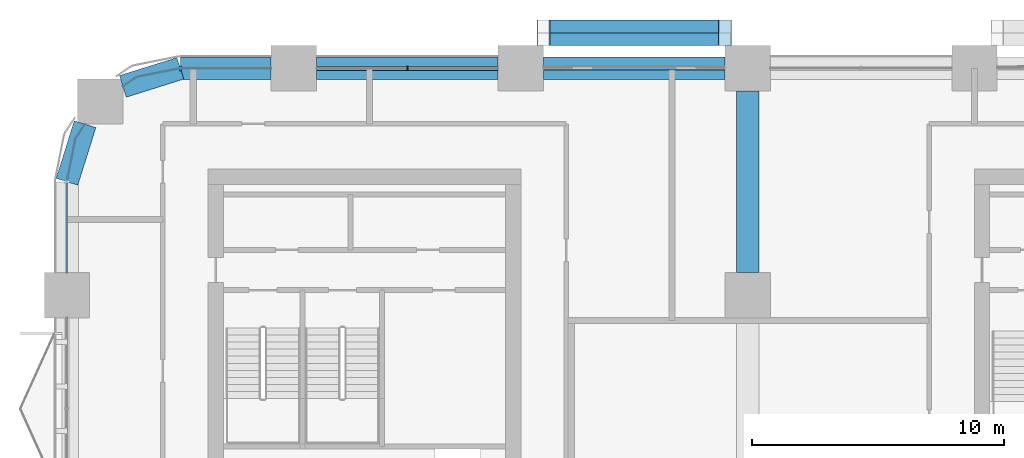
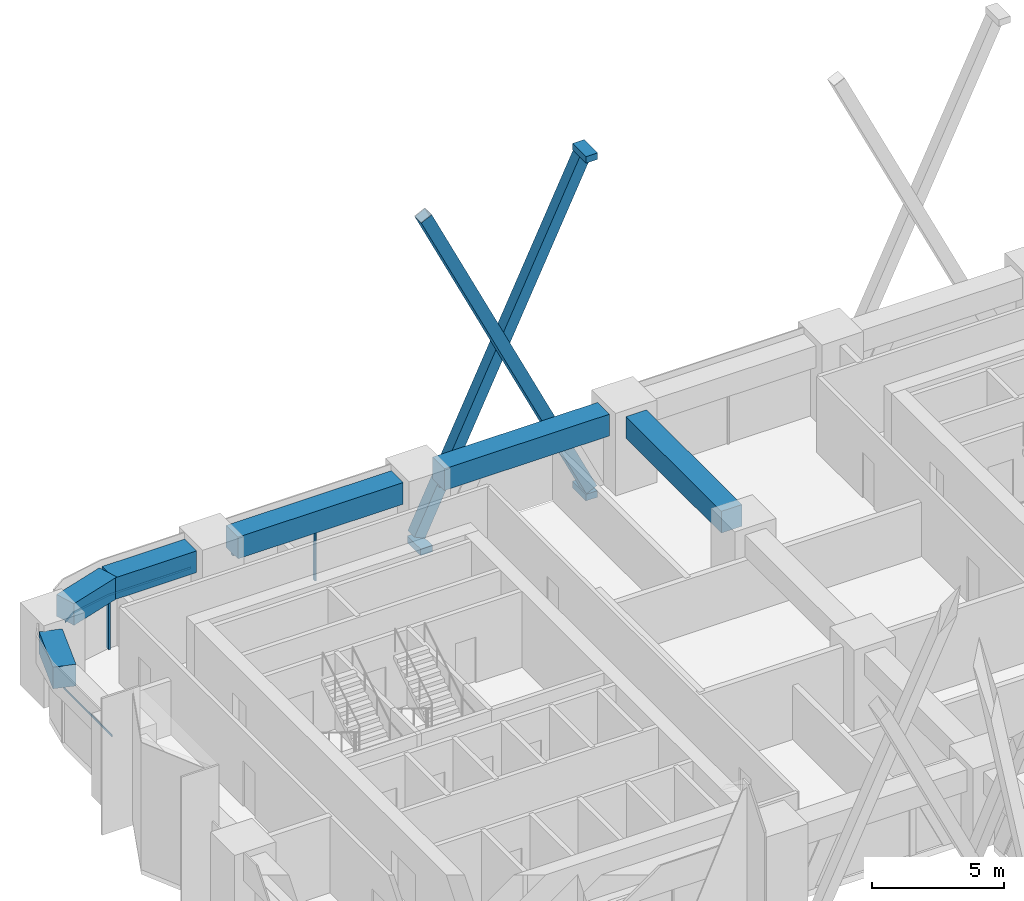
# One storey, part 7 of 19: 11 members, 6 beams, 4 elements without a shape of their own.
"""IFC4 building model written with IfcOpenShell, lengths in metres."""

import ifcopenshell
import ifcopenshell.guid

model = None  # the IFC model being written
_history = None  # IfcOwnerHistory: only IFC2X3 demands one
_inside = {}  # id of a spatial element -> (the spatial element, [elements in it])
_under = {}  # id of a project, library or spatial element -> (it, [spatial elements below it])
_declared = {}  # id of a project -> (the project, [libraries it declares])
_typed = {}  # id of a type object -> (the type object, [elements of that type])
_made_of = {}  # id of a material, layer set ... -> (it, [elements and type objects made of it])


def new_model(schema):
    """Start an empty IFC model of exactly this schema.

    Asked for "IFC4X3", IfcOpenShell would pick the latest addendum, in which some entities
    have other attributes; the version numbers below select the first issue.
    IFC2X3 requires an IfcOwnerHistory on every rooted entity: one is made here for all.
    """
    global model, _history
    if schema == "IFC4X3":
        model = ifcopenshell.file(schema_version=(4, 3, 0, 0))
    else:
        model = ifcopenshell.file(schema=schema)
    _inside.clear()
    _under.clear()
    _declared.clear()
    _typed.clear()
    _made_of.clear()
    _history = None
    if model.schema == "IFC2X3":
        org = make("IfcOrganization", Name="unknown")
        user = make(
            "IfcPersonAndOrganization",
            ThePerson=make("IfcPerson", FamilyName="unknown"),
            TheOrganization=org,
        )
        app = make(
            "IfcApplication",
            ApplicationDeveloper=org,
            Version="unknown",
            ApplicationFullName="unknown",
            ApplicationIdentifier="unknown",
        )
        _history = make(
            "IfcOwnerHistory",
            OwningUser=user,
            OwningApplication=app,
            ChangeAction="ADDED",
            CreationDate=0,
        )
    return model


def make(cls, **values):
    """One entity of the class cls with the attributes given. An attribute that is None is left unset."""
    return model.create_entity(
        cls, **{name: value for name, value in values.items() if value is not None}
    )


def rooted(cls, **values):
    """An entity with a GlobalId (a new one), such as an element, a storey or a relation."""
    return make(cls, GlobalId=ifcopenshell.guid.new(), OwnerHistory=_history, **values)


def si_unit(unit_type, name, prefix=None):
    """IfcSIUnit, for example si_unit("LENGTHUNIT", "METRE", prefix="MILLI")."""
    return make("IfcSIUnit", UnitType=unit_type, Prefix=prefix, Name=name)


def assignment(units):
    """IfcUnitAssignment: the units of a project."""
    return None if units is None else make("IfcUnitAssignment", Units=units)


def point(xyz):
    """IfcCartesianPoint."""
    return None if xyz is None else make("IfcCartesianPoint", Coordinates=xyz)


def direction(xyz):
    """IfcDirection."""
    return None if xyz is None else make("IfcDirection", DirectionRatios=xyz)


def frame(location, z_axis=None, x_axis=None):
    """IfcAxis2Placement3D, a coordinate frame: its origin and axes. An axis left out is left unset."""
    return make(
        "IfcAxis2Placement3D",
        Location=point(location),
        Axis=direction(z_axis),
        RefDirection=direction(x_axis),
    )


def frame_2d(location, x_axis=None):
    """IfcAxis2Placement2D, a coordinate frame in the plane: its origin and x axis."""
    return make(
        "IfcAxis2Placement2D", Location=point(location), RefDirection=direction(x_axis)
    )


def origin():
    """The frame at (0, 0, 0) with its axes left unset."""
    return frame((0.0, 0.0, 0.0))


def origin_2d():
    """The frame at (0, 0) in the plane with its x axis left unset."""
    return frame_2d((0.0, 0.0))


def place(relative_to, where):
    """IfcLocalPlacement: puts the frame where relative to a parent placement (None: the world)."""
    return make(
        "IfcLocalPlacement", PlacementRelTo=relative_to, RelativePlacement=where
    )


def context(
    kind, dimensions, precision=None, world=None, true_north=None, identifier=None
):
    """IfcGeometricRepresentationContext, for example the 3D "Model" context."""
    return make(
        "IfcGeometricRepresentationContext",
        ContextIdentifier=identifier,
        ContextType=kind,
        CoordinateSpaceDimension=dimensions,
        Precision=precision,
        WorldCoordinateSystem=world,
        TrueNorth=true_north,
    )


def subcontext(parent, identifier, kind, view, scale=None):
    """IfcGeometricRepresentationSubContext, for example "Body" below "Model"."""
    return make(
        "IfcGeometricRepresentationSubContext",
        ContextIdentifier=identifier,
        ContextType=kind,
        ParentContext=parent,
        TargetScale=scale,
        TargetView=view,
    )


def project(units=None, contexts=None):
    """IfcProject with its units and contexts."""
    return rooted(
        "IfcProject",
        Name="project",
        RepresentationContexts=contexts,
        UnitsInContext=assignment(units),
    )


def spatial(cls, under=None, at=None, **own):
    """A site, building, storey or space (cls), placed at a placement, below another one or the project."""
    s = rooted(cls, ObjectPlacement=at, **own)
    if under is not None:
        _under.setdefault(under.id(), (under, []))[1].append(s)
    return s


def polyline(points):
    """IfcPolyline through the points."""
    return make("IfcPolyline", Points=[point(p) for p in points])


def profile(cls, at=None, kind="AREA", **sizes):
    """A parametric profile (cls). Its sizes go by their IFC names, for example OverallWidth=200.0."""
    return make(cls, ProfileType=kind, Position=at, **sizes)


def rectangle(**sizes):
    """IfcRectangleProfileDef."""
    return profile("IfcRectangleProfileDef", **sizes)


def hollow_rectangle(**sizes):
    """IfcRectangleHollowProfileDef."""
    return profile("IfcRectangleHollowProfileDef", **sizes)


def outline(outer, holes=None, kind="AREA"):
    """IfcArbitraryClosedProfileDef: a profile drawn as a closed curve; with holes, ...WithVoids."""
    if holes is None:
        return make("IfcArbitraryClosedProfileDef", ProfileType=kind, OuterCurve=outer)
    return make(
        "IfcArbitraryProfileDefWithVoids",
        ProfileType=kind,
        OuterCurve=outer,
        InnerCurves=holes,
    )


def extrude(swept, where, along, depth):
    """IfcExtrudedAreaSolid: the profile swept, set in the frame where, extruded along a direction by depth."""
    return make(
        "IfcExtrudedAreaSolid",
        SweptArea=swept,
        Position=where,
        ExtrudedDirection=direction(along),
        Depth=depth,
    )


def shape(context_of_items, identifier, shape_type, items):
    """IfcShapeRepresentation: the items that make up one representation, for example the "Body"."""
    return make(
        "IfcShapeRepresentation",
        ContextOfItems=context_of_items,
        RepresentationIdentifier=identifier,
        RepresentationType=shape_type,
        Items=items,
    )


def material(Name=None, Category=None):
    """IfcMaterial."""
    return make("IfcMaterial", Name=Name, Category=Category)


def layer(
    of_material, thickness, ventilated=None, Name=None, Category=None, Priority=None
):
    """IfcMaterialLayer: one layer of a wall or slab, of a material (None: an air gap)."""
    return make(
        "IfcMaterialLayer",
        Material=of_material,
        LayerThickness=thickness,
        IsVentilated=ventilated,
        Name=Name,
        Category=Category,
        Priority=Priority,
    )


def layer_set(layers, Name=None):
    """IfcMaterialLayerSet."""
    return make("IfcMaterialLayerSet", MaterialLayers=layers, LayerSetName=Name)


def material_profile(
    of_material, cross_section, Name=None, Category=None, Priority=None
):
    """IfcMaterialProfile: a cross section and its material."""
    return make(
        "IfcMaterialProfile",
        Name=Name,
        Material=of_material,
        Profile=cross_section,
        Priority=Priority,
        Category=Category,
    )


def profile_set(profiles, Name=None, composite=None):
    """IfcMaterialProfileSet."""
    return make(
        "IfcMaterialProfileSet",
        Name=Name,
        MaterialProfiles=profiles,
        CompositeProfile=composite,
    )


def made_of(thing, what):
    """Note that an element or type object is made of a material, layer set ...; save() writes the relation."""
    if what is not None:
        _made_of.setdefault(what.id(), (what, []))[1].append(thing)
    return thing


def type_object(cls, material=None, **own):
    """A type object (cls), such as IfcWallType, which elements share."""
    return made_of(rooted(cls, **own), material)


def element(
    cls,
    number,
    at=None,
    inside=None,
    cuts=None,
    type_object=None,
    material=None,
    context=None,
    identifier="Body",
    shape_type=None,
    held_by="IfcProductDefinitionShape",
    body=None,
    shapes=None,
    **own,
):
    """One element of the class cls, such as IfcWall. Its Tag is "e" and its number.

    at: its placement. inside: the storey or other place that contains it. cuts: it is an
    opening in that element (IfcRelVoidsElement). A single representation is given by context,
    identifier, shape_type and body (its items); several are given by shapes. held_by: the class
    of the entity that holds the representations. save() writes the other relations.
    """
    e = rooted(cls, Tag="e%d" % number, ObjectPlacement=at, **own)
    if body is not None:
        shapes = [shape(context, identifier, shape_type, body)]
    if shapes is not None:
        e.Representation = make(held_by, Representations=shapes)
    if inside is not None:
        _inside.setdefault(inside.id(), (inside, []))[1].append(e)
    if cuts is not None:
        rooted(
            "IfcRelVoidsElement", RelatingBuildingElement=cuts, RelatedOpeningElement=e
        )
    if type_object is not None:
        _typed.setdefault(type_object.id(), (type_object, []))[1].append(e)
    return made_of(e, material)


def aggregate(whole, parts):
    """IfcRelAggregates: a whole, such as a stair, and the parts it consists of."""
    return rooted("IfcRelAggregates", RelatingObject=whole, RelatedObjects=parts)


def save(model, path):
    """Write the relations noted so far, then the file.

    IfcRelAggregates (storeys below a building ...), IfcRelContainedInSpatialStructure (elements
    in a storey), IfcRelDefinesByType, IfcRelAssociatesMaterial and IfcRelDeclares: one each for
    every whole, place, type object, material and project.
    """
    for whole, parts in _under.values():
        aggregate(whole, parts)
    for where, things in _inside.values():
        rooted(
            "IfcRelContainedInSpatialStructure",
            RelatedElements=things,
            RelatingStructure=where,
        )
    for kind, things in _typed.values():
        rooted("IfcRelDefinesByType", RelatedObjects=things, RelatingType=kind)
    for what, things in _made_of.values():
        rooted("IfcRelAssociatesMaterial", RelatedObjects=things, RelatingMaterial=what)
    for by, libraries in _declared.values():
        rooted("IfcRelDeclares", RelatingContext=by, RelatedDefinitions=libraries)
    model.write(path)


model = new_model("IFC4")

# Units and contexts
model_context = context("Model", 3, precision=1e-05, world=origin(), true_north=direction((0.0, 1.0)))
body_context = subcontext(model_context, "Body", "Model", "MODEL_VIEW")
ifc_project = project(units=[si_unit("LENGTHUNIT", "METRE"), si_unit("AREAUNIT", "SQUARE_METRE"), si_unit("VOLUMEUNIT", "CUBIC_METRE"), si_unit("PLANEANGLEUNIT", "RADIAN"), si_unit("MASSUNIT", "GRAM", prefix="KILO")], contexts=[model_context])

# Site, building, storey
site_placement = place(None, origin())
site = spatial("IfcSite", under=ifc_project, at=site_placement, CompositionType="ELEMENT")
building_placement = place(site_placement, origin())
building = spatial("IfcBuilding", under=site, at=building_placement, Name="Tessera Arch", CompositionType="ELEMENT")
storey_placement = place(building_placement, frame((0.0, 0.0, 108.199951171875)))
storey = spatial("IfcBuildingStorey", under=building, at=storey_placement, Name="L25", CompositionType="ELEMENT", Elevation=108.199951171875)

# Members
ifc_material_1 = material(Name="Steel A500 Gr C", Category="steel")
ifc_material_profile_1 = material_profile(ifc_material_1, hollow_rectangle(XDim=0.508056640625, YDim=0.508056640625, WallThickness=0.0146484375, at=origin_2d()), Name="HSS20x20x5/8")
ifc_profile_set_1 = profile_set([ifc_material_profile_1], Name="Steel A500 Gr C")
member_type_1 = type_object("IfcMemberType", Name="Brace HSS20x20x5/8 Steel A500 Gr C", PredefinedType="BRACE", material=ifc_profile_set_1)
for number, where, z_axis, x_axis, name in (
    (1, (26.10009765625, 55.154052734375, -0.800048828125), (-0.432740607972, 0.0, 0.90151847802), (0.0, -1.0, 0.0), "Brace N54.0-2 A L25-L28"),
    (2, (18.89990234375, 55.662109375, -0.800048828125), (0.432740607972, 0.0, 0.90151847802), (0.0, 1.0, 0.0), "Brace N54.0-2 B L25-L28"),
):
    element("IfcMember", number, at=place(storey_placement, frame(where, z_axis=z_axis, x_axis=x_axis)), inside=storey, type_object=member_type_1, Name=name, PredefinedType="BRACE", context=body_context, shape_type="SweptSolid", body=[
        extrude(hollow_rectangle(XDim=0.508056640625, YDim=0.508056640625, WallThickness=0.0146484375, at=origin_2d()), origin(), (0.0, 0.0, 1.0), 16.638671875),
    ])

# Curtain wall, members
ifc_material_2 = material(Name="CW1 curtain wall")
curtain_wall_type_1 = type_object("IfcCurtainWallType", Name="CW1 curtain wall", PredefinedType="NOTDEFINED", material=ifc_material_2)
curtain_wall_1_placement = place(storey_placement, origin())
curtain_wall_1 = element("IfcCurtainWall", 3, at=curtain_wall_1_placement, inside=storey, type_object=curtain_wall_type_1, Name="CW1 curtain wall N54.0/3 L25", PredefinedType="NOTDEFINED")
ifc_material_3 = material(Name="Anodised aluminium pale metal", Category="aluminium")
ifc_material_profile_2 = material_profile(ifc_material_3, rectangle(XDim=0.159912109375, YDim=0.06005859375, at=origin_2d()), Name="AL 60x160")
ifc_profile_set_2 = profile_set([ifc_material_profile_2], Name="Anodised aluminium pale metal")
member_type_2 = type_object("IfcMemberType", Name="CW1 mullion", PredefinedType="MULLION", material=ifc_profile_set_2)
member_1_placement = place(storey_placement, frame((13.5, 54.0, 0.0), z_axis=(0.0, 0.0, 1.0), x_axis=(0.0, -1.0, 0.0)))
member_1 = element("IfcMember", 4, at=member_1_placement, type_object=member_type_2, Name="CW1 mullion N54.0/3 1", PredefinedType="MULLION", context=body_context, shape_type="SweptSolid", body=[
    extrude(rectangle(XDim=0.159912109375, YDim=0.06005859375, at=origin_2d()), origin(), (0.0, 0.0, 1.0), 2.400146484375),
])
ifc_material_4 = material(Name="Anodised aluminium pale metal", Category="aluminium")
ifc_material_profile_3 = material_profile(ifc_material_4, rectangle(XDim=0.159912109375, YDim=0.10009765625, at=origin_2d()), Name="AL 160x100")
ifc_profile_set_3 = profile_set([ifc_material_profile_3], Name="Anodised aluminium pale metal")
member_type_3 = type_object("IfcMemberType", Name="CW1 transom", PredefinedType="USERDEFINED", material=ifc_profile_set_3)
member_2_placement = place(storey_placement, frame((17.10009765625, 54.0, 2.449951171875), z_axis=(-1.0, 0.0, 0.0), x_axis=(0.0, -1.0, 0.0)))
member_2 = element("IfcMember", 5, at=member_2_placement, type_object=member_type_3, Name="CW1 transom N54.0/3 1.1", ObjectType="TRANSOM", PredefinedType="USERDEFINED", context=body_context, shape_type="SweptSolid", body=[
    extrude(rectangle(XDim=0.159912109375, YDim=0.10009765625, at=origin_2d()), origin(), (0.0, 0.0, 1.0), 7.2001953125),
])
aggregate(curtain_wall_1, [member_1, member_2])

ifc_material_5 = material(Name="CW2 curtain wall")
curtain_wall_type_2 = type_object("IfcCurtainWallType", Name="CW2 curtain wall", PredefinedType="NOTDEFINED", material=ifc_material_5)
curtain_wall_2_placement = place(storey_placement, origin())
curtain_wall_2 = element("IfcCurtainWall", 6, at=curtain_wall_2_placement, inside=storey, type_object=curtain_wall_type_2, Name="CW2 curtain wall N54.0/4 L25", PredefinedType="NOTDEFINED")
ifc_material_6 = material(Name="Anodised aluminium pale metal", Category="aluminium")
ifc_material_profile_4 = material_profile(ifc_material_6, rectangle(XDim=0.199951171875, YDim=0.080078125, at=origin_2d()), Name="AL 80x200")
ifc_profile_set_4 = profile_set([ifc_material_profile_4], Name="Anodised aluminium pale metal")
member_type_4 = type_object("IfcMemberType", Name="CW2 mullion", PredefinedType="MULLION", material=ifc_profile_set_4)
member_3_placement = place(storey_placement, frame((4.5, 54.0, 0.0), z_axis=(0.0, 0.0, 1.0), x_axis=(0.0, -1.0, 0.0)))
member_3 = element("IfcMember", 7, at=member_3_placement, type_object=member_type_4, Name="CW2 mullion N54.0/4 1", PredefinedType="MULLION", context=body_context, shape_type="SweptSolid", body=[
    extrude(rectangle(XDim=0.199951171875, YDim=0.080078125, at=origin_2d()), origin(), (0.0, 0.0, 1.0), 2.400146484375),
])
ifc_material_7 = material(Name="Anodised aluminium pale metal", Category="aluminium")
ifc_material_profile_5 = material_profile(ifc_material_7, rectangle(XDim=0.199951171875, YDim=0.10009765625, at=origin_2d()), Name="AL 200x100")
ifc_profile_set_5 = profile_set([ifc_material_profile_5], Name="Anodised aluminium pale metal")
member_type_5 = type_object("IfcMemberType", Name="CW2 transom", PredefinedType="USERDEFINED", material=ifc_profile_set_5)
member_4_placement = place(storey_placement, frame((0.0, 0.0, 2.400146484375)))
member_4 = element("IfcMember", 8, at=member_4_placement, type_object=member_type_5, Name="CW2 transom N54.0/4 1", ObjectType="TRANSOM", PredefinedType="USERDEFINED", context=body_context, shape_type="SweptSolid", body=[
    extrude(outline(polyline([(4.5009765625, 53.989990234375), (8.10009765625, 53.989990234375), (8.10009765625, 54.010009765625), (4.4990234375, 54.010009765625), (2.77392578125, 53.6669921875), (2.21240234375, 53.29150390625), (2.2236328125, 53.27490234375), (2.78173828125, 53.648193359375), (4.5009765625, 53.989990234375)])), origin(), (0.0, 0.0, 1.0), 0.099853515625),
])
aggregate(curtain_wall_2, [member_3, member_4])

# Curtain wall, member
curtain_wall_3_placement = place(storey_placement, origin())
curtain_wall_3 = element("IfcCurtainWall", 9, at=curtain_wall_3_placement, inside=storey, type_object=curtain_wall_type_2, Name="CW2 curtain wall W0.27/0 L25", PredefinedType="NOTDEFINED")
member_5_placement = place(storey_placement, frame((0.0, 0.0, 2.400146484375)))
member_5 = element("IfcMember", 10, at=member_5_placement, type_object=member_type_5, Name="CW2 transom W0.27/0 1", ObjectType="TRANSOM", PredefinedType="USERDEFINED", context=body_context, shape_type="SweptSolid", body=[
    extrude(outline(polyline([(0.351806640625, 51.21826171875), (0.72509765625, 51.7763671875), (0.70849609375, 51.78759765625), (0.3330078125, 51.22607421875), (-0.010009765625, 49.5009765625), (-0.010009765625, 45.89990234375), (0.010009765625, 45.89990234375), (0.010009765625, 49.4990234375), (0.351806640625, 51.21826171875)])), origin(), (0.0, 0.0, 1.0), 0.099853515625),
])
aggregate(curtain_wall_3, [member_5])

ifc_material_8 = material(Name="CW3 curtain wall")
curtain_wall_type_3 = type_object("IfcCurtainWallType", Name="CW3 curtain wall", PredefinedType="NOTDEFINED", material=ifc_material_8)
curtain_wall_4_placement = place(storey_placement, origin())
curtain_wall_4 = element("IfcCurtainWall", 11, at=curtain_wall_4_placement, inside=storey, type_object=curtain_wall_type_3, Name="CW3 curtain wall N54.0/2 L25", PredefinedType="NOTDEFINED")
ifc_material_9 = material(Name="Anodised aluminium pale metal", Category="aluminium")
ifc_material_profile_6 = material_profile(ifc_material_9, rectangle(XDim=0.139892578125, YDim=0.10009765625, at=origin_2d()), Name="AL 140x100")
ifc_profile_set_6 = profile_set([ifc_material_profile_6], Name="Anodised aluminium pale metal")
member_type_6 = type_object("IfcMemberType", Name="CW3 transom", PredefinedType="USERDEFINED", material=ifc_profile_set_6)
member_6_placement = place(storey_placement, frame((26.10009765625, 54.0, 2.449951171875), z_axis=(-1.0, 0.0, 0.0), x_axis=(0.0, -1.0, 0.0)))
member_6 = element("IfcMember", 12, at=member_6_placement, type_object=member_type_6, Name="CW3 transom N54.0/2 1.1", ObjectType="TRANSOM", PredefinedType="USERDEFINED", context=body_context, shape_type="SweptSolid", body=[
    extrude(rectangle(XDim=0.139892578125, YDim=0.10009765625, at=origin_2d()), origin(), (0.0, 0.0, 1.0), 7.2001953125),
])
aggregate(curtain_wall_4, [member_6])

# Members
ifc_material_10 = material(Name="Steel A572 Gr50", Category="steel")
ifc_layer = layer(ifc_material_10, 0.050048828125)
ifc_layer_set = layer_set([ifc_layer], Name="Node block Steel A572 Gr50")
member_type_7 = type_object("IfcMemberType", Name="Node block Steel A572 Gr50", PredefinedType="PLATE", material=ifc_layer_set)
for number, where, z_axis, x_axis, name in (
    (13, (18.89990234375, 55.407958984375, -1.232421875), (0.0, 0.0, 1.0), (-1.0, 0.0, 0.0), "Node block seat N54.0-2 1 L25"),
    (14, (26.10009765625, 55.407958984375, -1.232421875), (0.0, 0.0, 1.0), (-1.0, 0.0, 0.0), "Node block seat N54.0-2 2 L25"),
    (15, (26.10009765625, 55.407958984375, 14.33251953125), (0.0, 0.0, 1.0), (-1.0, 0.0, 0.0), "Node block head N54.0-2 B L25"),
):
    element("IfcMember", number, at=place(storey_placement, frame(where, z_axis=z_axis, x_axis=x_axis)), inside=storey, type_object=member_type_7, Name=name, PredefinedType="PLATE", context=body_context, shape_type="SweptSolid", body=[
        extrude(rectangle(XDim=0.508056640625, YDim=1.01611328125, at=origin_2d()), origin(), (0.0, 0.0, 1.0), 0.300048828125),
    ])

# Beams
ifc_material_11 = material(Name="Concrete C80/95", Category="concrete")
ifc_material_profile_7 = material_profile(ifc_material_11, rectangle(XDim=0.89990234375, YDim=1.0, at=origin_2d()), Name="RC spandrel beam 900 x 1000 Concrete C80/95")
ifc_profile_set_7 = profile_set([ifc_material_profile_7], Name="Concrete C80/95")
beam_type = type_object("IfcBeamType", Name="RC spandrel beam 900 x 1000 Concrete C80/95", PredefinedType="BEAM", material=ifc_profile_set_7)
for number, where, z_axis, x_axis, name in (
    (16, (26.10009765625, 54.0, 3.0), (-1.0, 0.0, 0.0), (0.0, -1.0, 0.0), "Spandrel beam L25 N54.0/2"),
    (17, (17.10009765625, 54.0, 3.0), (-1.0, 0.0, 0.0), (0.0, -1.0, 0.0), "Spandrel beam L25 N54.0/3"),
):
    element("IfcBeam", number, at=place(storey_placement, frame(where, z_axis=z_axis, x_axis=x_axis)), inside=storey, type_object=beam_type, Name=name, PredefinedType="BEAM", context=body_context, shape_type="SweptSolid", body=[
        extrude(rectangle(XDim=0.89990234375, YDim=1.0, at=origin_2d()), origin(), (0.0, 0.0, 1.0), 7.2001953125),
    ])
beam_1_placement = place(storey_placement, frame((8.10009765625, 54.0, 3.0), z_axis=(-1.0, 0.0, 0.0), x_axis=(0.0, -1.0, 0.0)))
element("IfcBeam", 18, at=beam_1_placement, inside=storey, type_object=beam_type, Name="Spandrel beam L25 N54.0/4.1", PredefinedType="BEAM", context=body_context, shape_type="SweptSolid", body=[
    extrude(rectangle(XDim=0.89990234375, YDim=1.0, at=origin_2d()), origin(), (0.0, 0.0, 1.0), 3.60009765625),
])
for number, where, z_axis, x_axis, name in (
    (19, (4.5, 54.0, 3.0), (-0.954041251279, -0.299675309057, 0.0), (0.299675309057, -0.954041251279, 0.0), "Spandrel beam L25 N54.0/4.2"),
    (20, (0.716796875, 51.781982421875, 3.0), (-0.299675309057, -0.954041251279, 0.0), (0.954041251279, -0.299675309057, 0.0), "Spandrel beam L25 W0.27/0.1"),
):
    element("IfcBeam", number, at=place(storey_placement, frame(where, z_axis=z_axis, x_axis=x_axis)), inside=storey, type_object=beam_type, Name=name, PredefinedType="BEAM", context=body_context, shape_type="SweptSolid", body=[
        extrude(rectangle(XDim=0.89990234375, YDim=1.0, at=origin_2d()), origin(), (0.0, 0.0, 1.0), 2.391845703125),
    ])
beam_2_placement = place(storey_placement, frame((27.0, 45.89990234375, 3.0), z_axis=(0.0, 1.0, 0.0), x_axis=(-1.0, 0.0, 0.0)))
element("IfcBeam", 21, at=beam_2_placement, inside=storey, type_object=beam_type, Name="Interface beam L25 I0C4F-C4G", PredefinedType="BEAM", context=body_context, shape_type="SweptSolid", body=[
    extrude(rectangle(XDim=0.89990234375, YDim=1.0, at=origin_2d()), origin(), (0.0, 0.0, 1.0), 7.2001953125),
])

save(model, "model.ifc")
